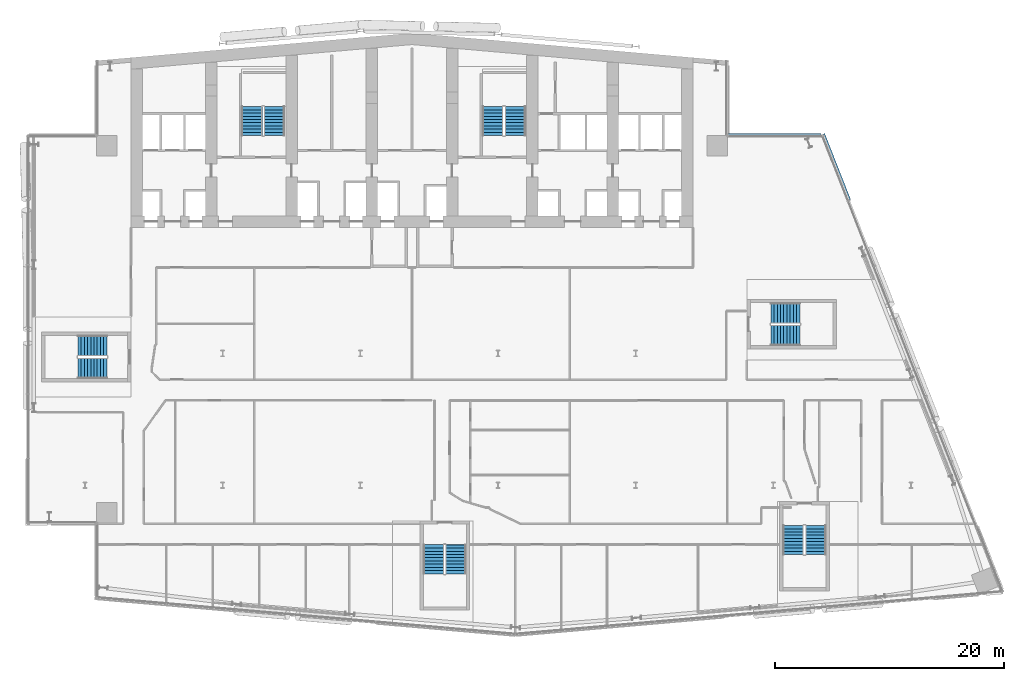
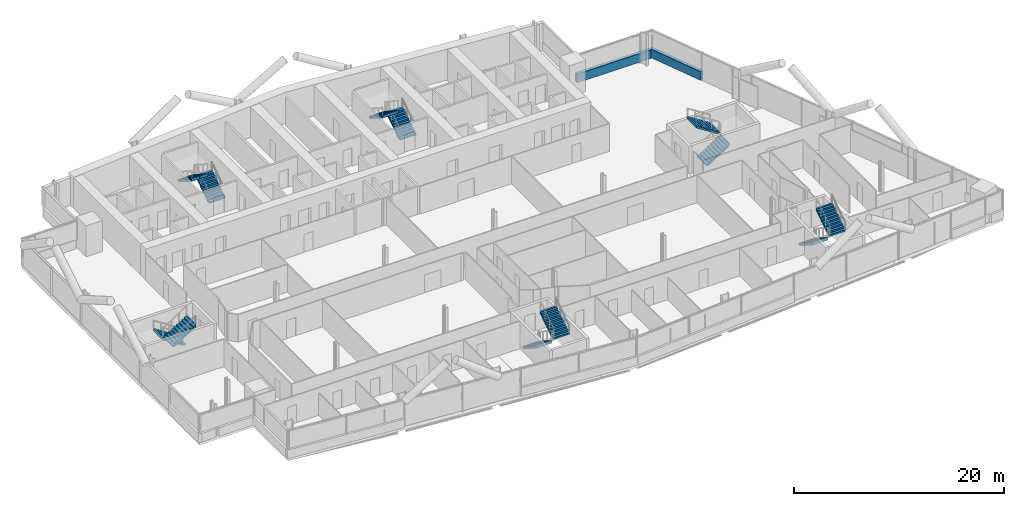
# One storey, part 21 of 27: 12 stair flights, 2 walls, 6 elements without a shape of their own.
"""IFC4 building model written with IfcOpenShell, lengths in metres."""

from ifc_helpers import new_model, si_unit, direction, frame, frame_2d, origin, place, context, subcontext, project, spatial, polyline, rectangle, outline, extrude, material, layer, layer_set, type_object, element, aggregate, save


model = new_model("IFC4")

# Units and contexts
model_context = context("Model", 3, precision=1e-05, world=origin(), true_north=direction((0.0, 1.0)))
body_context = subcontext(model_context, "Body", "Model", "MODEL_VIEW")
ifc_project = project(units=[si_unit("LENGTHUNIT", "METRE"), si_unit("AREAUNIT", "SQUARE_METRE"), si_unit("VOLUMEUNIT", "CUBIC_METRE"), si_unit("PLANEANGLEUNIT", "RADIAN"), si_unit("MASSUNIT", "GRAM", prefix="KILO")], contexts=[model_context])

# Site, building, storey
site_placement = place(None, origin())
site = spatial("IfcSite", under=ifc_project, at=site_placement, CompositionType="ELEMENT")
building_placement = place(site_placement, origin())
building = spatial("IfcBuilding", under=site, at=building_placement, Name="Wharfspan Tower", CompositionType="ELEMENT")
storey_placement = place(building_placement, frame((0.0, 0.0, 136.300049)))
storey = spatial("IfcBuildingStorey", under=building, at=storey_placement, Name="L32", CompositionType="ELEMENT", Elevation=136.300049)

# Walls
ifc_material = material(Name="Concrete C40/50", Category="concrete")
ifc_layer = layer(ifc_material, 0.350098)
ifc_layer_set = layer_set([ifc_layer], Name="Concrete C40/50")
wall_type = type_object("IfcWallType", Name="SPANDREL EXPOSED CONCRETE 350", PredefinedType="SOLIDWALL", material=ifc_layer_set)
wall_1_placement = place(storey_placement, frame((78.586426, 36.343994, 0.0), z_axis=(0.0, 0.0, 1.0), x_axis=(-0.365792, 0.930699, 0.0)))
element("IfcWall", 1, at=wall_1_placement, inside=storey, type_object=wall_type, Name="Spandrel upstand L32 E 2", PredefinedType="SOLIDWALL", context=body_context, shape_type="SweptSolid", body=[
    extrude(rectangle(XDim=6.20166, YDim=0.350098, at=frame_2d((3.10083, 0.0))), origin(), (0.0, 0.0, 1.0), 1.0),
])
wall_2_placement = place(storey_placement, frame((76.155029, 42.004883, 0.0), z_axis=(0.0, 0.0, 1.0), x_axis=(-1.0, 0.0, 0.0)))
element("IfcWall", 2, at=wall_2_placement, inside=storey, type_object=wall_type, Name="Spandrel upstand L32 NRE-H", PredefinedType="SOLIDWALL", context=body_context, shape_type="SweptSolid", body=[
    extrude(rectangle(XDim=8.155029, YDim=0.350098, at=frame_2d((4.077637, 0.0))), origin(), (0.0, 0.0, 1.0), 1.0),
])

# Stair, stair flights
stair_type = type_object("IfcStairType", Name="Half-turn stair 20 risers 180 mm", PredefinedType="HALF_TURN_STAIR", material=ifc_material)
stair_1_placement = place(storey_placement, origin())
stair_1 = element("IfcStair", 3, at=stair_1_placement, inside=storey, type_object=stair_type, Name="L32 stair ST1", PredefinedType="HALF_TURN_STAIR")
stair_flight_type = type_object("IfcStairFlightType", Name="Stair flight 20 risers 180 mm", PredefinedType="STRAIGHT", material=ifc_material)
stair_flight_1_placement = place(storey_placement, frame((28.5, 42.0, 0.0), z_axis=(0.0, 0.0, 1.0), x_axis=(0.0, 1.0, 0.0)))
stair_flight_1 = element("IfcStairFlight", 4, at=stair_flight_1_placement, type_object=stair_flight_type, Name="ST1 flight 1", NumberOfRisers=10, NumberOfTreads=9, PredefinedType="STRAIGHT", RiserHeight=0.18, TreadLength=0.28, context=body_context, shape_type="SweptSolid", body=[
    extrude(outline(polyline([(-0.011963, 0.0), (-0.011963, 0.179932), (0.0, 0.179932), (0.280029, 0.179932), (0.280029, 0.360107), (0.560059, 0.360107), (0.560059, 0.540039), (0.840088, 0.540039), (0.840088, 0.719971), (1.120117, 0.719971), (1.120117, 0.899902), (1.399902, 0.899902), (1.399902, 1.080078), (1.679932, 1.080078), (1.679932, 1.26001), (1.959961, 1.26001), (1.959961, 1.439941), (2.23999, 1.439941), (2.23999, 1.620117), (2.52002, 1.620117), (2.531982, 1.800049), (2.531982, 1.441895), (0.2771, 0.0), (-0.011963, 0.0)])), frame((0.0, 0.899902, 0.0), z_axis=(0.0, -1.0, 0.0), x_axis=(1.0, 0.0, 0.0)), (0.0, 0.0, 1.0), 0.899414),
    extrude(outline(polyline([(-0.011963, 0.0), (-0.011963, 0.179932), (0.0, 0.179932), (0.280029, 0.179932), (0.280029, 0.360107), (0.560059, 0.360107), (0.560059, 0.540039), (0.840088, 0.540039), (0.840088, 0.719971), (1.120117, 0.719971), (1.120117, 0.899902), (1.399902, 0.899902), (1.399902, 1.080078), (1.679932, 1.080078), (1.679932, 1.26001), (1.959961, 1.26001), (1.959961, 1.439941), (2.23999, 1.439941), (2.23999, 1.620117), (2.52002, 1.620117), (2.531982, 1.800049), (2.531982, 1.441895), (0.2771, 0.0), (-0.011963, 0.0)])), frame((0.0, -0.000488, 0.0), z_axis=(0.0, -1.0, 0.0), x_axis=(1.0, 0.0, 0.0)), (0.0, 0.0, 1.0), 0.899414),
])
stair_flight_2_placement = place(storey_placement, frame((26.550049, 44.52002, 1.800049), z_axis=(0.0, 0.0, 1.0), x_axis=(0.0, -1.0, 0.0)))
stair_flight_2 = element("IfcStairFlight", 5, at=stair_flight_2_placement, type_object=stair_flight_type, Name="ST1 flight 2", NumberOfRisers=10, NumberOfTreads=9, PredefinedType="STRAIGHT", RiserHeight=0.18, TreadLength=0.28, context=body_context, shape_type="SweptSolid", body=[
    extrude(outline(polyline([(-0.011963, 0.0), (-0.011963, 0.179932), (0.0, 0.179932), (0.280029, 0.179932), (0.280029, 0.360107), (0.560059, 0.360107), (0.560059, 0.540039), (0.840088, 0.540039), (0.840088, 0.719971), (1.120117, 0.719971), (1.120117, 0.899902), (1.399902, 0.899902), (1.399902, 1.080078), (1.679932, 1.080078), (1.679932, 1.26001), (1.959961, 1.26001), (1.959961, 1.439941), (2.23999, 1.439941), (2.23999, 1.620117), (2.52002, 1.620117), (2.531982, 1.800049), (2.531982, 1.441895), (0.2771, 0.0), (-0.011963, 0.0)])), frame((0.0, 0.899902, 0.0), z_axis=(0.0, -1.0, 0.0), x_axis=(1.0, 0.0, 0.0)), (0.0, 0.0, 1.0), 0.899414),
    extrude(outline(polyline([(-0.011963, 0.0), (-0.011963, 0.179932), (0.0, 0.179932), (0.280029, 0.179932), (0.280029, 0.360107), (0.560059, 0.360107), (0.560059, 0.540039), (0.840088, 0.540039), (0.840088, 0.719971), (1.120117, 0.719971), (1.120117, 0.899902), (1.399902, 0.899902), (1.399902, 1.080078), (1.679932, 1.080078), (1.679932, 1.26001), (1.959961, 1.26001), (1.959961, 1.439941), (2.23999, 1.439941), (2.23999, 1.620117), (2.52002, 1.620117), (2.531982, 1.800049), (2.531982, 1.441895), (0.2771, 0.0), (-0.011963, 0.0)])), frame((0.0, -0.000488, 0.0), z_axis=(0.0, -1.0, 0.0), x_axis=(1.0, 0.0, 0.0)), (0.0, 0.0, 1.0), 0.899414),
])
aggregate(stair_1, [stair_flight_1, stair_flight_2])

stair_2_placement = place(storey_placement, origin())
stair_2 = element("IfcStair", 6, at=stair_2_placement, inside=storey, type_object=stair_type, Name="L32 stair ST2", PredefinedType="HALF_TURN_STAIR")
stair_flight_3_placement = place(storey_placement, frame((49.5, 42.0, 0.0), z_axis=(0.0, 0.0, 1.0), x_axis=(0.0, 1.0, 0.0)))
stair_flight_3 = element("IfcStairFlight", 7, at=stair_flight_3_placement, type_object=stair_flight_type, Name="ST2 flight 1", NumberOfRisers=10, NumberOfTreads=9, PredefinedType="STRAIGHT", RiserHeight=0.18, TreadLength=0.28, context=body_context, shape_type="SweptSolid", body=[
    extrude(outline(polyline([(-0.011963, 0.0), (-0.011963, 0.179932), (0.0, 0.179932), (0.280029, 0.179932), (0.280029, 0.360107), (0.560059, 0.360107), (0.560059, 0.540039), (0.840088, 0.540039), (0.840088, 0.719971), (1.120117, 0.719971), (1.120117, 0.899902), (1.399902, 0.899902), (1.399902, 1.080078), (1.679932, 1.080078), (1.679932, 1.26001), (1.959961, 1.26001), (1.959961, 1.439941), (2.23999, 1.439941), (2.23999, 1.620117), (2.52002, 1.620117), (2.531982, 1.800049), (2.531982, 1.441895), (0.2771, 0.0), (-0.011963, 0.0)])), frame((0.0, 0.899902, 0.0), z_axis=(0.0, -1.0, 0.0), x_axis=(1.0, 0.0, 0.0)), (0.0, 0.0, 1.0), 0.899414),
    extrude(outline(polyline([(-0.011963, 0.0), (-0.011963, 0.179932), (0.0, 0.179932), (0.280029, 0.179932), (0.280029, 0.360107), (0.560059, 0.360107), (0.560059, 0.540039), (0.840088, 0.540039), (0.840088, 0.719971), (1.120117, 0.719971), (1.120117, 0.899902), (1.399902, 0.899902), (1.399902, 1.080078), (1.679932, 1.080078), (1.679932, 1.26001), (1.959961, 1.26001), (1.959961, 1.439941), (2.23999, 1.439941), (2.23999, 1.620117), (2.52002, 1.620117), (2.531982, 1.800049), (2.531982, 1.441895), (0.2771, 0.0), (-0.011963, 0.0)])), frame((0.0, -0.000488, 0.0), z_axis=(0.0, -1.0, 0.0), x_axis=(1.0, 0.0, 0.0)), (0.0, 0.0, 1.0), 0.899414),
])
stair_flight_4_placement = place(storey_placement, frame((47.550049, 44.52002, 1.800049), z_axis=(0.0, 0.0, 1.0), x_axis=(0.0, -1.0, 0.0)))
stair_flight_4 = element("IfcStairFlight", 8, at=stair_flight_4_placement, type_object=stair_flight_type, Name="ST2 flight 2", NumberOfRisers=10, NumberOfTreads=9, PredefinedType="STRAIGHT", RiserHeight=0.18, TreadLength=0.28, context=body_context, shape_type="SweptSolid", body=[
    extrude(outline(polyline([(-0.011963, 0.0), (-0.011963, 0.179932), (0.0, 0.179932), (0.280029, 0.179932), (0.280029, 0.360107), (0.560059, 0.360107), (0.560059, 0.540039), (0.840088, 0.540039), (0.840088, 0.719971), (1.120117, 0.719971), (1.120117, 0.899902), (1.399902, 0.899902), (1.399902, 1.080078), (1.679932, 1.080078), (1.679932, 1.26001), (1.959961, 1.26001), (1.959961, 1.439941), (2.23999, 1.439941), (2.23999, 1.620117), (2.52002, 1.620117), (2.531982, 1.800049), (2.531982, 1.441895), (0.2771, 0.0), (-0.011963, 0.0)])), frame((0.0, 0.899902, 0.0), z_axis=(0.0, -1.0, 0.0), x_axis=(1.0, 0.0, 0.0)), (0.0, 0.0, 1.0), 0.899414),
    extrude(outline(polyline([(-0.011963, 0.0), (-0.011963, 0.179932), (0.0, 0.179932), (0.280029, 0.179932), (0.280029, 0.360107), (0.560059, 0.360107), (0.560059, 0.540039), (0.840088, 0.540039), (0.840088, 0.719971), (1.120117, 0.719971), (1.120117, 0.899902), (1.399902, 0.899902), (1.399902, 1.080078), (1.679932, 1.080078), (1.679932, 1.26001), (1.959961, 1.26001), (1.959961, 1.439941), (2.23999, 1.439941), (2.23999, 1.620117), (2.52002, 1.620117), (2.531982, 1.800049), (2.531982, 1.441895), (0.2771, 0.0), (-0.011963, 0.0)])), frame((0.0, -0.000488, 0.0), z_axis=(0.0, -1.0, 0.0), x_axis=(1.0, 0.0, 0.0)), (0.0, 0.0, 1.0), 0.899414),
])
aggregate(stair_2, [stair_flight_3, stair_flight_4])

stair_3_placement = place(storey_placement, origin())
stair_3 = element("IfcStair", 9, at=stair_3_placement, inside=storey, type_object=stair_type, Name="L32 stair ST3", PredefinedType="HALF_TURN_STAIR")
stair_flight_5_placement = place(storey_placement, frame((13.899902, 23.675049, 0.0), z_axis=(0.0, 0.0, 1.0), x_axis=(-1.0, 0.0, 0.0)))
stair_flight_5 = element("IfcStairFlight", 10, at=stair_flight_5_placement, type_object=stair_flight_type, Name="ST3 flight 1", NumberOfRisers=10, NumberOfTreads=9, PredefinedType="STRAIGHT", RiserHeight=0.18, TreadLength=0.28, context=body_context, shape_type="SweptSolid", body=[
    extrude(outline(polyline([(-0.011963, 0.0), (-0.011963, 0.179932), (0.0, 0.179932), (0.280029, 0.179932), (0.280029, 0.360107), (0.560059, 0.360107), (0.560059, 0.540039), (0.840088, 0.540039), (0.840088, 0.719971), (1.120117, 0.719971), (1.120117, 0.899902), (1.399902, 0.899902), (1.399902, 1.080078), (1.679932, 1.080078), (1.679932, 1.26001), (1.959961, 1.26001), (1.959961, 1.439941), (2.23999, 1.439941), (2.23999, 1.620117), (2.52002, 1.620117), (2.531982, 1.800049), (2.531982, 1.441895), (0.2771, 0.0), (-0.011963, 0.0)])), frame((0.0, 0.899902, 0.0), z_axis=(0.0, -1.0, 0.0), x_axis=(1.0, 0.0, 0.0)), (0.0, 0.0, 1.0), 0.899414),
    extrude(outline(polyline([(-0.011963, 0.0), (-0.011963, 0.179932), (0.0, 0.179932), (0.280029, 0.179932), (0.280029, 0.360107), (0.560059, 0.360107), (0.560059, 0.540039), (0.840088, 0.540039), (0.840088, 0.719971), (1.120117, 0.719971), (1.120117, 0.899902), (1.399902, 0.899902), (1.399902, 1.080078), (1.679932, 1.080078), (1.679932, 1.26001), (1.959961, 1.26001), (1.959961, 1.439941), (2.23999, 1.439941), (2.23999, 1.620117), (2.52002, 1.620117), (2.531982, 1.800049), (2.531982, 1.441895), (0.2771, 0.0), (-0.011963, 0.0)])), frame((0.0, -0.000488, 0.0), z_axis=(0.0, -1.0, 0.0), x_axis=(1.0, 0.0, 0.0)), (0.0, 0.0, 1.0), 0.899414),
])
stair_flight_6_placement = place(storey_placement, frame((11.379883, 21.725098, 1.800049), z_axis=(0.0, 0.0, 1.0), x_axis=(1.0, 0.0, 0.0)))
stair_flight_6 = element("IfcStairFlight", 11, at=stair_flight_6_placement, type_object=stair_flight_type, Name="ST3 flight 2", NumberOfRisers=10, NumberOfTreads=9, PredefinedType="STRAIGHT", RiserHeight=0.18, TreadLength=0.28, context=body_context, shape_type="SweptSolid", body=[
    extrude(outline(polyline([(-0.011963, 0.0), (-0.011963, 0.179932), (0.0, 0.179932), (0.280029, 0.179932), (0.280029, 0.360107), (0.560059, 0.360107), (0.560059, 0.540039), (0.840088, 0.540039), (0.840088, 0.719971), (1.120117, 0.719971), (1.120117, 0.899902), (1.399902, 0.899902), (1.399902, 1.080078), (1.679932, 1.080078), (1.679932, 1.26001), (1.959961, 1.26001), (1.959961, 1.439941), (2.23999, 1.439941), (2.23999, 1.620117), (2.52002, 1.620117), (2.531982, 1.800049), (2.531982, 1.441895), (0.2771, 0.0), (-0.011963, 0.0)])), frame((0.0, 0.899902, 0.0), z_axis=(0.0, -1.0, 0.0), x_axis=(1.0, 0.0, 0.0)), (0.0, 0.0, 1.0), 0.899414),
    extrude(outline(polyline([(-0.011963, 0.0), (-0.011963, 0.179932), (0.0, 0.179932), (0.280029, 0.179932), (0.280029, 0.360107), (0.560059, 0.360107), (0.560059, 0.540039), (0.840088, 0.540039), (0.840088, 0.719971), (1.120117, 0.719971), (1.120117, 0.899902), (1.399902, 0.899902), (1.399902, 1.080078), (1.679932, 1.080078), (1.679932, 1.26001), (1.959961, 1.26001), (1.959961, 1.439941), (2.23999, 1.439941), (2.23999, 1.620117), (2.52002, 1.620117), (2.531982, 1.800049), (2.531982, 1.441895), (0.2771, 0.0), (-0.011963, 0.0)])), frame((0.0, -0.000488, 0.0), z_axis=(0.0, -1.0, 0.0), x_axis=(1.0, 0.0, 0.0)), (0.0, 0.0, 1.0), 0.899414),
])
aggregate(stair_3, [stair_flight_5, stair_flight_6])

stair_4_placement = place(storey_placement, origin())
stair_4 = element("IfcStair", 12, at=stair_4_placement, inside=storey, type_object=stair_type, Name="L32 stair ST4", PredefinedType="HALF_TURN_STAIR")
stair_flight_7_placement = place(storey_placement, frame((42.385254, 6.316895, 0.0), z_axis=(0.0, 0.0, 1.0), x_axis=(0.0, -1.0, 0.0)))
stair_flight_7 = element("IfcStairFlight", 13, at=stair_flight_7_placement, type_object=stair_flight_type, Name="ST4 flight 1", NumberOfRisers=10, NumberOfTreads=9, PredefinedType="STRAIGHT", RiserHeight=0.18, TreadLength=0.28, context=body_context, shape_type="SweptSolid", body=[
    extrude(outline(polyline([(-0.011963, 0.0), (-0.011963, 0.179932), (0.0, 0.179932), (0.280029, 0.179932), (0.280029, 0.360107), (0.560059, 0.360107), (0.560059, 0.540039), (0.840088, 0.540039), (0.840088, 0.719971), (1.120117, 0.719971), (1.120117, 0.899902), (1.399902, 0.899902), (1.399902, 1.080078), (1.679932, 1.080078), (1.679932, 1.26001), (1.959961, 1.26001), (1.959961, 1.439941), (2.23999, 1.439941), (2.23999, 1.620117), (2.52002, 1.620117), (2.531982, 1.800049), (2.531982, 1.441895), (0.2771, 0.0), (-0.011963, 0.0)])), frame((0.0, 0.899902, 0.0), z_axis=(0.0, -1.0, 0.0), x_axis=(1.0, 0.0, 0.0)), (0.0, 0.0, 1.0), 0.899414),
    extrude(outline(polyline([(-0.011963, 0.0), (-0.011963, 0.179932), (0.0, 0.179932), (0.280029, 0.179932), (0.280029, 0.360107), (0.560059, 0.360107), (0.560059, 0.540039), (0.840088, 0.540039), (0.840088, 0.719971), (1.120117, 0.719971), (1.120117, 0.899902), (1.399902, 0.899902), (1.399902, 1.080078), (1.679932, 1.080078), (1.679932, 1.26001), (1.959961, 1.26001), (1.959961, 1.439941), (2.23999, 1.439941), (2.23999, 1.620117), (2.52002, 1.620117), (2.531982, 1.800049), (2.531982, 1.441895), (0.2771, 0.0), (-0.011963, 0.0)])), frame((0.0, -0.000488, 0.0), z_axis=(0.0, -1.0, 0.0), x_axis=(1.0, 0.0, 0.0)), (0.0, 0.0, 1.0), 0.899414),
])
stair_flight_8_placement = place(storey_placement, frame((44.335205, 3.796875, 1.800049), z_axis=(0.0, 0.0, 1.0), x_axis=(0.0, 1.0, 0.0)))
stair_flight_8 = element("IfcStairFlight", 14, at=stair_flight_8_placement, type_object=stair_flight_type, Name="ST4 flight 2", NumberOfRisers=10, NumberOfTreads=9, PredefinedType="STRAIGHT", RiserHeight=0.18, TreadLength=0.28, context=body_context, shape_type="SweptSolid", body=[
    extrude(outline(polyline([(-0.011963, 0.0), (-0.011963, 0.179932), (0.0, 0.179932), (0.280029, 0.179932), (0.280029, 0.360107), (0.560059, 0.360107), (0.560059, 0.540039), (0.840088, 0.540039), (0.840088, 0.719971), (1.120117, 0.719971), (1.120117, 0.899902), (1.399902, 0.899902), (1.399902, 1.080078), (1.679932, 1.080078), (1.679932, 1.26001), (1.959961, 1.26001), (1.959961, 1.439941), (2.23999, 1.439941), (2.23999, 1.620117), (2.52002, 1.620117), (2.531982, 1.800049), (2.531982, 1.441895), (0.2771, 0.0), (-0.011963, 0.0)])), frame((0.0, 0.899902, 0.0), z_axis=(0.0, -1.0, 0.0), x_axis=(1.0, 0.0, 0.0)), (0.0, 0.0, 1.0), 0.899414),
    extrude(outline(polyline([(-0.011963, 0.0), (-0.011963, 0.179932), (0.0, 0.179932), (0.280029, 0.179932), (0.280029, 0.360107), (0.560059, 0.360107), (0.560059, 0.540039), (0.840088, 0.540039), (0.840088, 0.719971), (1.120117, 0.719971), (1.120117, 0.899902), (1.399902, 0.899902), (1.399902, 1.080078), (1.679932, 1.080078), (1.679932, 1.26001), (1.959961, 1.26001), (1.959961, 1.439941), (2.23999, 1.439941), (2.23999, 1.620117), (2.52002, 1.620117), (2.531982, 1.800049), (2.531982, 1.441895), (0.2771, 0.0), (-0.011963, 0.0)])), frame((0.0, -0.000488, 0.0), z_axis=(0.0, -1.0, 0.0), x_axis=(1.0, 0.0, 0.0)), (0.0, 0.0, 1.0), 0.899414),
])
aggregate(stair_4, [stair_flight_7, stair_flight_8])

stair_5_placement = place(storey_placement, origin())
stair_5 = element("IfcStair", 15, at=stair_5_placement, inside=storey, type_object=stair_type, Name="L32 stair ST5", PredefinedType="HALF_TURN_STAIR")
stair_flight_9_placement = place(storey_placement, frame((73.740967, 7.994629, 0.0), z_axis=(0.0, 0.0, 1.0), x_axis=(0.0, -1.0, 0.0)))
stair_flight_9 = element("IfcStairFlight", 16, at=stair_flight_9_placement, type_object=stair_flight_type, Name="ST5 flight 1", NumberOfRisers=10, NumberOfTreads=9, PredefinedType="STRAIGHT", RiserHeight=0.18, TreadLength=0.28, context=body_context, shape_type="SweptSolid", body=[
    extrude(outline(polyline([(-0.011963, 0.0), (-0.011963, 0.179932), (0.0, 0.179932), (0.280029, 0.179932), (0.280029, 0.360107), (0.560059, 0.360107), (0.560059, 0.540039), (0.840088, 0.540039), (0.840088, 0.719971), (1.120117, 0.719971), (1.120117, 0.899902), (1.399902, 0.899902), (1.399902, 1.080078), (1.679932, 1.080078), (1.679932, 1.26001), (1.959961, 1.26001), (1.959961, 1.439941), (2.23999, 1.439941), (2.23999, 1.620117), (2.52002, 1.620117), (2.531982, 1.800049), (2.531982, 1.441895), (0.2771, 0.0), (-0.011963, 0.0)])), frame((0.0, 0.899902, 0.0), z_axis=(0.0, -1.0, 0.0), x_axis=(1.0, 0.0, 0.0)), (0.0, 0.0, 1.0), 0.899414),
    extrude(outline(polyline([(-0.011963, 0.0), (-0.011963, 0.179932), (0.0, 0.179932), (0.280029, 0.179932), (0.280029, 0.360107), (0.560059, 0.360107), (0.560059, 0.540039), (0.840088, 0.540039), (0.840088, 0.719971), (1.120117, 0.719971), (1.120117, 0.899902), (1.399902, 0.899902), (1.399902, 1.080078), (1.679932, 1.080078), (1.679932, 1.26001), (1.959961, 1.26001), (1.959961, 1.439941), (2.23999, 1.439941), (2.23999, 1.620117), (2.52002, 1.620117), (2.531982, 1.800049), (2.531982, 1.441895), (0.2771, 0.0), (-0.011963, 0.0)])), frame((0.0, -0.000488, 0.0), z_axis=(0.0, -1.0, 0.0), x_axis=(1.0, 0.0, 0.0)), (0.0, 0.0, 1.0), 0.899414),
])
stair_flight_10_placement = place(storey_placement, frame((75.690918, 5.474609, 1.800049), z_axis=(0.0, 0.0, 1.0), x_axis=(0.0, 1.0, 0.0)))
stair_flight_10 = element("IfcStairFlight", 17, at=stair_flight_10_placement, type_object=stair_flight_type, Name="ST5 flight 2", NumberOfRisers=10, NumberOfTreads=9, PredefinedType="STRAIGHT", RiserHeight=0.18, TreadLength=0.28, context=body_context, shape_type="SweptSolid", body=[
    extrude(outline(polyline([(-0.011963, 0.0), (-0.011963, 0.179932), (0.0, 0.179932), (0.280029, 0.179932), (0.280029, 0.360107), (0.560059, 0.360107), (0.560059, 0.540039), (0.840088, 0.540039), (0.840088, 0.719971), (1.120117, 0.719971), (1.120117, 0.899902), (1.399902, 0.899902), (1.399902, 1.080078), (1.679932, 1.080078), (1.679932, 1.26001), (1.959961, 1.26001), (1.959961, 1.439941), (2.23999, 1.439941), (2.23999, 1.620117), (2.52002, 1.620117), (2.531982, 1.800049), (2.531982, 1.441895), (0.2771, 0.0), (-0.011963, 0.0)])), frame((0.0, 0.899902, 0.0), z_axis=(0.0, -1.0, 0.0), x_axis=(1.0, 0.0, 0.0)), (0.0, 0.0, 1.0), 0.899414),
    extrude(outline(polyline([(-0.011963, 0.0), (-0.011963, 0.179932), (0.0, 0.179932), (0.280029, 0.179932), (0.280029, 0.360107), (0.560059, 0.360107), (0.560059, 0.540039), (0.840088, 0.540039), (0.840088, 0.719971), (1.120117, 0.719971), (1.120117, 0.899902), (1.399902, 0.899902), (1.399902, 1.080078), (1.679932, 1.080078), (1.679932, 1.26001), (1.959961, 1.26001), (1.959961, 1.439941), (2.23999, 1.439941), (2.23999, 1.620117), (2.52002, 1.620117), (2.531982, 1.800049), (2.531982, 1.441895), (0.2771, 0.0), (-0.011963, 0.0)])), frame((0.0, -0.000488, 0.0), z_axis=(0.0, -1.0, 0.0), x_axis=(1.0, 0.0, 0.0)), (0.0, 0.0, 1.0), 0.899414),
])
aggregate(stair_5, [stair_flight_9, stair_flight_10])

stair_6_placement = place(storey_placement, origin())
stair_6 = element("IfcStair", 18, at=stair_6_placement, inside=storey, type_object=stair_type, Name="L32 stair ST6", PredefinedType="HALF_TURN_STAIR")
stair_flight_11_placement = place(storey_placement, frame((71.790283, 24.574951, 0.0), z_axis=(0.0, 0.0, 1.0), x_axis=(1.0, 0.0, 0.0)))
stair_flight_11 = element("IfcStairFlight", 19, at=stair_flight_11_placement, type_object=stair_flight_type, Name="ST6 flight 1", NumberOfRisers=10, NumberOfTreads=9, PredefinedType="STRAIGHT", RiserHeight=0.18, TreadLength=0.28, context=body_context, shape_type="SweptSolid", body=[
    extrude(outline(polyline([(-0.011963, 0.0), (-0.011963, 0.179932), (0.0, 0.179932), (0.280029, 0.179932), (0.280029, 0.360107), (0.560059, 0.360107), (0.560059, 0.540039), (0.840088, 0.540039), (0.840088, 0.719971), (1.120117, 0.719971), (1.120117, 0.899902), (1.399902, 0.899902), (1.399902, 1.080078), (1.679932, 1.080078), (1.679932, 1.26001), (1.959961, 1.26001), (1.959961, 1.439941), (2.23999, 1.439941), (2.23999, 1.620117), (2.52002, 1.620117), (2.531982, 1.800049), (2.531982, 1.441895), (0.2771, 0.0), (-0.011963, 0.0)])), frame((0.0, 0.899902, 0.0), z_axis=(0.0, -1.0, 0.0), x_axis=(1.0, 0.0, 0.0)), (0.0, 0.0, 1.0), 0.899414),
    extrude(outline(polyline([(-0.011963, 0.0), (-0.011963, 0.179932), (0.0, 0.179932), (0.280029, 0.179932), (0.280029, 0.360107), (0.560059, 0.360107), (0.560059, 0.540039), (0.840088, 0.540039), (0.840088, 0.719971), (1.120117, 0.719971), (1.120117, 0.899902), (1.399902, 0.899902), (1.399902, 1.080078), (1.679932, 1.080078), (1.679932, 1.26001), (1.959961, 1.26001), (1.959961, 1.439941), (2.23999, 1.439941), (2.23999, 1.620117), (2.52002, 1.620117), (2.531982, 1.800049), (2.531982, 1.441895), (0.2771, 0.0), (-0.011963, 0.0)])), frame((0.0, -0.000488, 0.0), z_axis=(0.0, -1.0, 0.0), x_axis=(1.0, 0.0, 0.0)), (0.0, 0.0, 1.0), 0.899414),
])
stair_flight_12_placement = place(storey_placement, frame((74.310303, 26.524902, 1.800049), z_axis=(0.0, 0.0, 1.0), x_axis=(-1.0, 0.0, 0.0)))
stair_flight_12 = element("IfcStairFlight", 20, at=stair_flight_12_placement, type_object=stair_flight_type, Name="ST6 flight 2", NumberOfRisers=10, NumberOfTreads=9, PredefinedType="STRAIGHT", RiserHeight=0.18, TreadLength=0.28, context=body_context, shape_type="SweptSolid", body=[
    extrude(outline(polyline([(-0.011963, 0.0), (-0.011963, 0.179932), (0.0, 0.179932), (0.280029, 0.179932), (0.280029, 0.360107), (0.560059, 0.360107), (0.560059, 0.540039), (0.840088, 0.540039), (0.840088, 0.719971), (1.120117, 0.719971), (1.120117, 0.899902), (1.399902, 0.899902), (1.399902, 1.080078), (1.679932, 1.080078), (1.679932, 1.26001), (1.959961, 1.26001), (1.959961, 1.439941), (2.23999, 1.439941), (2.23999, 1.620117), (2.52002, 1.620117), (2.531982, 1.800049), (2.531982, 1.441895), (0.2771, 0.0), (-0.011963, 0.0)])), frame((0.0, 0.899902, 0.0), z_axis=(0.0, -1.0, 0.0), x_axis=(1.0, 0.0, 0.0)), (0.0, 0.0, 1.0), 0.899414),
    extrude(outline(polyline([(-0.011963, 0.0), (-0.011963, 0.179932), (0.0, 0.179932), (0.280029, 0.179932), (0.280029, 0.360107), (0.560059, 0.360107), (0.560059, 0.540039), (0.840088, 0.540039), (0.840088, 0.719971), (1.120117, 0.719971), (1.120117, 0.899902), (1.399902, 0.899902), (1.399902, 1.080078), (1.679932, 1.080078), (1.679932, 1.26001), (1.959961, 1.26001), (1.959961, 1.439941), (2.23999, 1.439941), (2.23999, 1.620117), (2.52002, 1.620117), (2.531982, 1.800049), (2.531982, 1.441895), (0.2771, 0.0), (-0.011963, 0.0)])), frame((0.0, -0.000488, 0.0), z_axis=(0.0, -1.0, 0.0), x_axis=(1.0, 0.0, 0.0)), (0.0, 0.0, 1.0), 0.899414),
])
aggregate(stair_6, [stair_flight_11, stair_flight_12])

save(model, "model.ifc")
